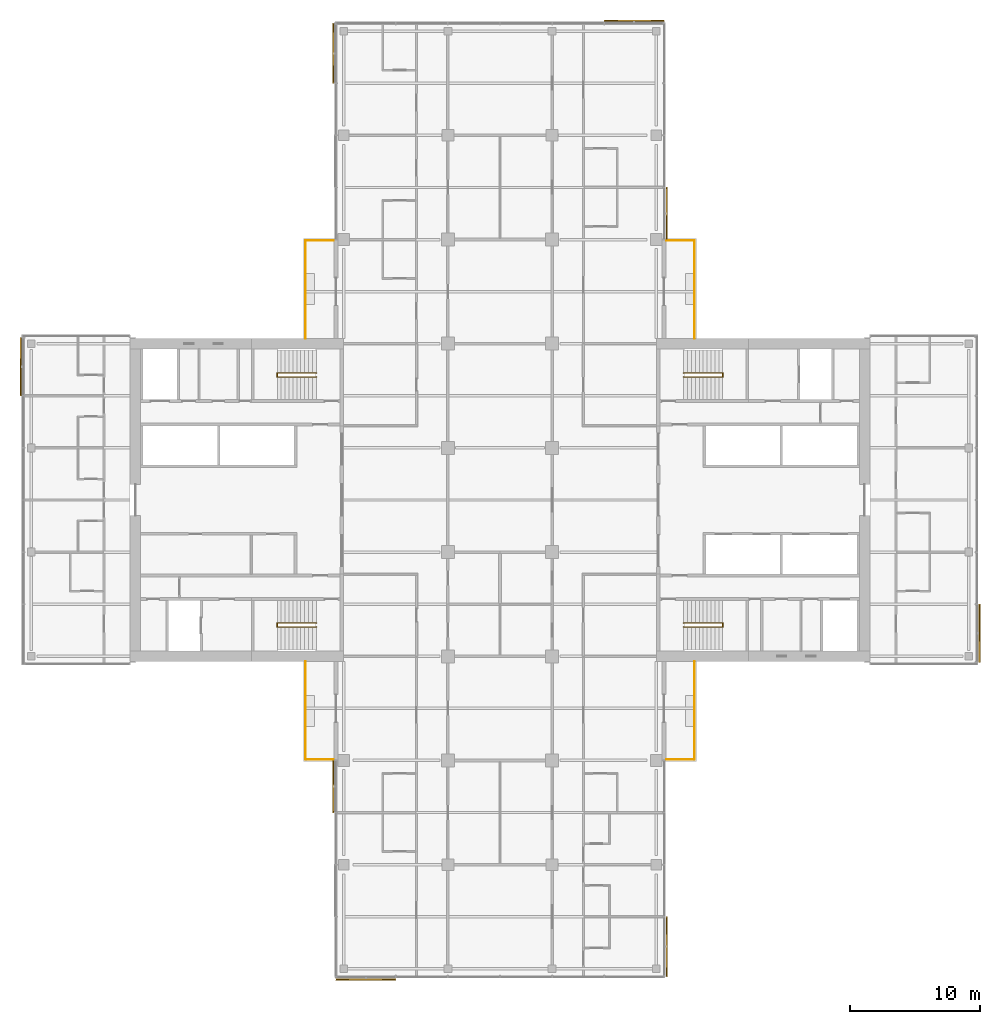
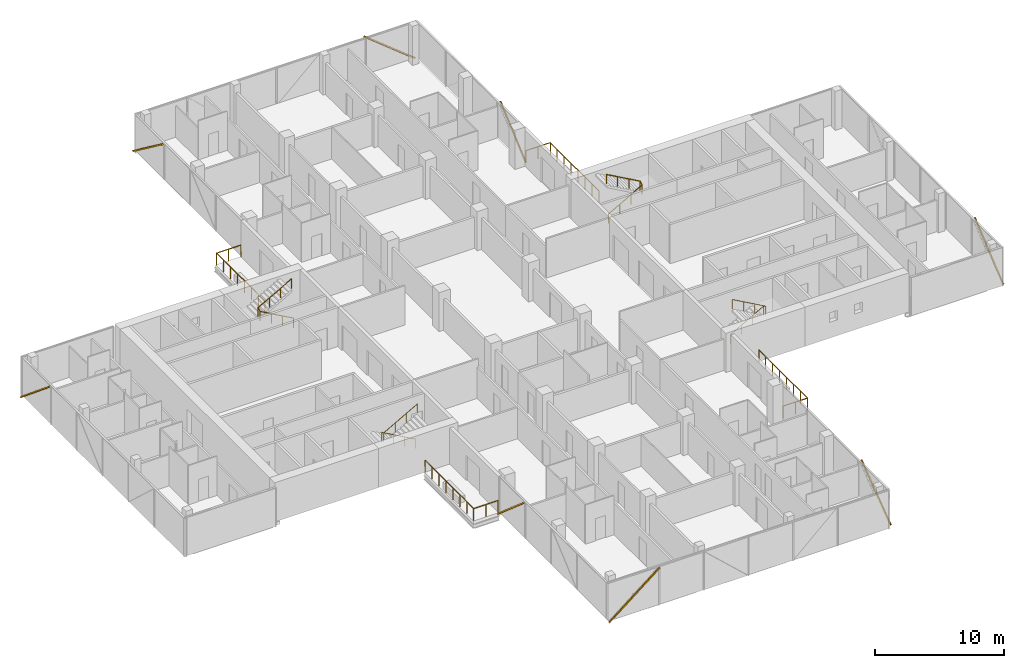
# One storey, part 25 of 25: 8 railings, 8 shading devices, 8 elements without a shape of their own.
"""IFC4 building model written with IfcOpenShell, lengths in metres."""

from ifc_helpers import new_model, si_unit, direction, frame, origin, origin_2d, place, context, subcontext, project, spatial, rectangle, circle, extrude, material, material_profile, profile_set, type_object, element, aggregate, save


model = new_model("IFC4")

# Units and contexts
model_context = context("Model", 3, precision=1e-05, world=origin(), true_north=direction((0.0, 1.0)))
body_context = subcontext(model_context, "Body", "Model", "MODEL_VIEW")
ifc_project = project(units=[si_unit("LENGTHUNIT", "METRE"), si_unit("AREAUNIT", "SQUARE_METRE"), si_unit("VOLUMEUNIT", "CUBIC_METRE"), si_unit("PLANEANGLEUNIT", "RADIAN"), si_unit("MASSUNIT", "GRAM", prefix="KILO")], contexts=[model_context])

# Site, building, storey
site_placement = place(None, origin())
site = spatial("IfcSite", under=ifc_project, at=site_placement, CompositionType="ELEMENT")
building_placement = place(site_placement, origin())
building = spatial("IfcBuilding", under=site, at=building_placement, Name="Crosswind Convention Tower", CompositionType="ELEMENT")
storey_placement = place(building_placement, frame((0.0, 0.0, 97.89990234375)))
storey = spatial("IfcBuildingStorey", under=building, at=storey_placement, Name="L19", CompositionType="ELEMENT", Elevation=97.89990234375)

# Railings
ifc_material_1 = material(Name="Steel and laminated glass balustrade", Category="steel")
railing_type_1 = type_object("IfcRailingType", Name="BALCONY BALUSTRADE 1150", PredefinedType="BALUSTRADE", material=ifc_material_1)
railing_1_placement = place(storey_placement, frame((139.93994140625, 112.39990234375, 0.0)))
element("IfcRailing", 1, at=railing_1_placement, inside=storey, type_object=railing_type_1, Name="R11 balcony balustrade L19 N-E.1-1", PredefinedType="BALUSTRADE", context=body_context, shape_type="SweptSolid", body=[
    extrude(circle(Radius=0.02392578125, at=origin_2d()), frame((0.0, 0.0, 1.1259765625), z_axis=(0.0, 1.0, 0.0), x_axis=(-1.0, 0.0, 0.0)), (0.0, 0.0, 1.0), 7.5400390625),
    extrude(circle(Radius=0.02392578125, at=origin_2d()), frame((0.0, 7.5400390625, 1.1259765625), z_axis=(-1.0, 0.0, 0.0), x_axis=(0.0, -1.0, 0.0)), (0.0, 0.0, 1.0), 2.1689453125),
    extrude(circle(Radius=0.02099609375, at=origin_2d()), origin(), (0.0, 0.0, 1.0), 1.101806640625),
    extrude(circle(Radius=0.02099609375, at=origin_2d()), frame((0.0, 1.0771484375, 0.0)), (0.0, 0.0, 1.0), 1.101806640625),
    extrude(circle(Radius=0.02099609375, at=origin_2d()), frame((0.0, 2.154296875, 0.0)), (0.0, 0.0, 1.0), 1.101806640625),
    extrude(circle(Radius=0.02099609375, at=origin_2d()), frame((0.0, 3.2314453125, 0.0)), (0.0, 0.0, 1.0), 1.101806640625),
    extrude(circle(Radius=0.02099609375, at=origin_2d()), frame((0.0, 4.30859375, 0.0)), (0.0, 0.0, 1.0), 1.101806640625),
    extrude(circle(Radius=0.02099609375, at=origin_2d()), frame((0.0, 5.3857421875, 0.0)), (0.0, 0.0, 1.0), 1.101806640625),
    extrude(circle(Radius=0.02099609375, at=origin_2d()), frame((0.0, 6.462890625, 0.0)), (0.0, 0.0, 1.0), 1.101806640625),
    extrude(circle(Radius=0.02099609375, at=origin_2d()), frame((0.0, 7.5400390625, 0.0)), (0.0, 0.0, 1.0), 1.101806640625),
    extrude(circle(Radius=0.02099609375, at=origin_2d()), frame((-1.08447265625, 7.5400390625, 0.0)), (0.0, 0.0, 1.0), 1.101806640625),
    extrude(circle(Radius=0.02099609375, at=origin_2d()), frame((-2.1689453125, 7.5400390625, 0.0)), (0.0, 0.0, 1.0), 1.101806640625),
])
railing_2_placement = place(storey_placement, frame((110.06005859375, 112.39990234375, 0.0)))
element("IfcRailing", 2, at=railing_2_placement, inside=storey, type_object=railing_type_1, Name="R11 balcony balustrade L19 N-W.1-3", PredefinedType="BALUSTRADE", context=body_context, shape_type="SweptSolid", body=[
    extrude(circle(Radius=0.02392578125, at=origin_2d()), frame((0.0, 0.0, 1.1259765625), z_axis=(0.0, 1.0, 0.0), x_axis=(-1.0, 0.0, 0.0)), (0.0, 0.0, 1.0), 7.5400390625),
    extrude(circle(Radius=0.02392578125, at=origin_2d()), frame((0.0, 7.5400390625, 1.1259765625), z_axis=(1.0, 0.0, 0.0), x_axis=(0.0, 1.0, 0.0)), (0.0, 0.0, 1.0), 2.1689453125),
    extrude(circle(Radius=0.02099609375, at=origin_2d()), origin(), (0.0, 0.0, 1.0), 1.101806640625),
    extrude(circle(Radius=0.02099609375, at=origin_2d()), frame((0.0, 1.0771484375, 0.0)), (0.0, 0.0, 1.0), 1.101806640625),
    extrude(circle(Radius=0.02099609375, at=origin_2d()), frame((0.0, 2.154296875, 0.0)), (0.0, 0.0, 1.0), 1.101806640625),
    extrude(circle(Radius=0.02099609375, at=origin_2d()), frame((0.0, 3.2314453125, 0.0)), (0.0, 0.0, 1.0), 1.101806640625),
    extrude(circle(Radius=0.02099609375, at=origin_2d()), frame((0.0, 4.30859375, 0.0)), (0.0, 0.0, 1.0), 1.101806640625),
    extrude(circle(Radius=0.02099609375, at=origin_2d()), frame((0.0, 5.3857421875, 0.0)), (0.0, 0.0, 1.0), 1.101806640625),
    extrude(circle(Radius=0.02099609375, at=origin_2d()), frame((0.0, 6.462890625, 0.0)), (0.0, 0.0, 1.0), 1.101806640625),
    extrude(circle(Radius=0.02099609375, at=origin_2d()), frame((0.0, 7.5400390625, 0.0)), (0.0, 0.0, 1.0), 1.101806640625),
    extrude(circle(Radius=0.02099609375, at=origin_2d()), frame((1.08447265625, 7.5400390625, 0.0)), (0.0, 0.0, 1.0), 1.101806640625),
    extrude(circle(Radius=0.02099609375, at=origin_2d()), frame((2.1689453125, 7.5400390625, 0.0)), (0.0, 0.0, 1.0), 1.101806640625),
])
railing_3_placement = place(storey_placement, frame((110.06005859375, 87.60009765625, 0.0)))
element("IfcRailing", 3, at=railing_3_placement, inside=storey, type_object=railing_type_1, Name="R11 balcony balustrade L19 S-W.1-1", PredefinedType="BALUSTRADE", context=body_context, shape_type="SweptSolid", body=[
    extrude(circle(Radius=0.02392578125, at=origin_2d()), frame((0.0, 0.0, 1.1259765625), z_axis=(0.0, -1.0, 0.0), x_axis=(1.0, 0.0, 0.0)), (0.0, 0.0, 1.0), 7.5400390625),
    extrude(circle(Radius=0.02392578125, at=origin_2d()), frame((0.0, -7.5400390625, 1.1259765625), z_axis=(1.0, 0.0, 0.0), x_axis=(0.0, 1.0, 0.0)), (0.0, 0.0, 1.0), 2.1689453125),
    extrude(circle(Radius=0.02099609375, at=origin_2d()), origin(), (0.0, 0.0, 1.0), 1.101806640625),
    extrude(circle(Radius=0.02099609375, at=origin_2d()), frame((0.0, -1.0771484375, 0.0)), (0.0, 0.0, 1.0), 1.101806640625),
    extrude(circle(Radius=0.02099609375, at=origin_2d()), frame((0.0, -2.154296875, 0.0)), (0.0, 0.0, 1.0), 1.101806640625),
    extrude(circle(Radius=0.02099609375, at=origin_2d()), frame((0.0, -3.2314453125, 0.0)), (0.0, 0.0, 1.0), 1.101806640625),
    extrude(circle(Radius=0.02099609375, at=origin_2d()), frame((0.0, -4.30859375, 0.0)), (0.0, 0.0, 1.0), 1.101806640625),
    extrude(circle(Radius=0.02099609375, at=origin_2d()), frame((0.0, -5.3857421875, 0.0)), (0.0, 0.0, 1.0), 1.101806640625),
    extrude(circle(Radius=0.02099609375, at=origin_2d()), frame((0.0, -6.462890625, 0.0)), (0.0, 0.0, 1.0), 1.101806640625),
    extrude(circle(Radius=0.02099609375, at=origin_2d()), frame((0.0, -7.5400390625, 0.0)), (0.0, 0.0, 1.0), 1.101806640625),
    extrude(circle(Radius=0.02099609375, at=origin_2d()), frame((1.08447265625, -7.5400390625, 0.0)), (0.0, 0.0, 1.0), 1.101806640625),
    extrude(circle(Radius=0.02099609375, at=origin_2d()), frame((2.1689453125, -7.5400390625, 0.0)), (0.0, 0.0, 1.0), 1.101806640625),
])
railing_4_placement = place(storey_placement, frame((139.93994140625, 87.60009765625, 0.0)))
element("IfcRailing", 4, at=railing_4_placement, inside=storey, type_object=railing_type_1, Name="R11 balcony balustrade L19 S-E.1-3", PredefinedType="BALUSTRADE", context=body_context, shape_type="SweptSolid", body=[
    extrude(circle(Radius=0.02392578125, at=origin_2d()), frame((0.0, 0.0, 1.1259765625), z_axis=(0.0, -1.0, 0.0), x_axis=(1.0, 0.0, 0.0)), (0.0, 0.0, 1.0), 7.5400390625),
    extrude(circle(Radius=0.02392578125, at=origin_2d()), frame((0.0, -7.5400390625, 1.1259765625), z_axis=(-1.0, 0.0, 0.0), x_axis=(0.0, -1.0, 0.0)), (0.0, 0.0, 1.0), 2.1689453125),
    extrude(circle(Radius=0.02099609375, at=origin_2d()), origin(), (0.0, 0.0, 1.0), 1.101806640625),
    extrude(circle(Radius=0.02099609375, at=origin_2d()), frame((0.0, -1.0771484375, 0.0)), (0.0, 0.0, 1.0), 1.101806640625),
    extrude(circle(Radius=0.02099609375, at=origin_2d()), frame((0.0, -2.154296875, 0.0)), (0.0, 0.0, 1.0), 1.101806640625),
    extrude(circle(Radius=0.02099609375, at=origin_2d()), frame((0.0, -3.2314453125, 0.0)), (0.0, 0.0, 1.0), 1.101806640625),
    extrude(circle(Radius=0.02099609375, at=origin_2d()), frame((0.0, -4.30859375, 0.0)), (0.0, 0.0, 1.0), 1.101806640625),
    extrude(circle(Radius=0.02099609375, at=origin_2d()), frame((0.0, -5.3857421875, 0.0)), (0.0, 0.0, 1.0), 1.101806640625),
    extrude(circle(Radius=0.02099609375, at=origin_2d()), frame((0.0, -6.462890625, 0.0)), (0.0, 0.0, 1.0), 1.101806640625),
    extrude(circle(Radius=0.02099609375, at=origin_2d()), frame((0.0, -7.5400390625, 0.0)), (0.0, 0.0, 1.0), 1.101806640625),
    extrude(circle(Radius=0.02099609375, at=origin_2d()), frame((-1.08447265625, -7.5400390625, 0.0)), (0.0, 0.0, 1.0), 1.101806640625),
    extrude(circle(Radius=0.02099609375, at=origin_2d()), frame((-2.1689453125, -7.5400390625, 0.0)), (0.0, 0.0, 1.0), 1.101806640625),
])
ifc_material_2 = material(Name="Stainless steel", Category="steel")
railing_type_2 = type_object("IfcRailingType", Name="Stair handrail 900", PredefinedType="HANDRAIL", material=ifc_material_2)
railing_5_placement = place(storey_placement, frame((139.10009765625, 109.43994140625, 0.168212890625)))
element("IfcRailing", 5, at=railing_5_placement, inside=storey, type_object=railing_type_2, Name="Stair ST1 handrail L19", PredefinedType="HANDRAIL", context=body_context, shape_type="SweptSolid", body=[
    extrude(circle(Radius=0.02392578125, at=origin_2d()), frame((0.0, 0.0, 0.8759765625), z_axis=(0.872272294576, 0.0, 0.489020494575), x_axis=(0.0, 1.0, 0.0)), (0.0, 0.0, 1.0), 3.439208984375),
    extrude(circle(Radius=0.02392578125, at=origin_2d()), frame((3.0, 0.0, 2.5576171875), z_axis=(0.0, 0.885196349292, 0.465217608438), x_axis=(-1.0, 0.0, 0.0)), (0.0, 0.0, 1.0), 0.361572265625),
    extrude(circle(Radius=0.02392578125, at=origin_2d()), frame((3.0, 0.320068359375, 2.72607421875), z_axis=(-0.872272294576, 0.0, 0.489020494575), x_axis=(0.0, -1.0, 0.0)), (0.0, 0.0, 1.0), 3.439208984375),
    extrude(circle(Radius=0.02099609375, at=origin_2d()), origin(), (0.0, 0.0, 1.0), 0.851806640625),
    extrude(circle(Radius=0.02099609375, at=origin_2d()), frame((1.0, 0.0, 0.560546875)), (0.0, 0.0, 1.0), 0.851806640625),
    extrude(circle(Radius=0.02099609375, at=origin_2d()), frame((2.0, 0.0, 1.121337890625)), (0.0, 0.0, 1.0), 0.851806640625),
    extrude(circle(Radius=0.02099609375, at=origin_2d()), frame((3.0, 0.0, 1.681884765625)), (0.0, 0.0, 1.0), 0.851806640625),
    extrude(circle(Radius=0.02099609375, at=origin_2d()), frame((3.0, 0.320068359375, 1.85009765625)), (0.0, 0.0, 1.0), 0.851806640625),
    extrude(circle(Radius=0.02099609375, at=origin_2d()), frame((2.0, 0.320068359375, 2.41064453125)), (0.0, 0.0, 1.0), 0.851806640625),
    extrude(circle(Radius=0.02099609375, at=origin_2d()), frame((1.0, 0.320068359375, 2.971435546875)), (0.0, 0.0, 1.0), 0.851806640625),
    extrude(circle(Radius=0.02099609375, at=origin_2d()), frame((0.0, 0.320068359375, 3.531982421875)), (0.0, 0.0, 1.0), 0.851806640625),
])
railing_6_placement = place(storey_placement, frame((139.10009765625, 90.56005859375, 0.168212890625)))
element("IfcRailing", 6, at=railing_6_placement, inside=storey, type_object=railing_type_2, Name="Stair ST2 handrail L19", PredefinedType="HANDRAIL", context=body_context, shape_type="SweptSolid", body=[
    extrude(circle(Radius=0.02392578125, at=origin_2d()), frame((0.0, 0.0, 0.8759765625), z_axis=(0.872272294576, 0.0, 0.489020494575), x_axis=(0.0, 1.0, 0.0)), (0.0, 0.0, 1.0), 3.439208984375),
    extrude(circle(Radius=0.02392578125, at=origin_2d()), frame((3.0, 0.0, 2.5576171875), z_axis=(0.0, -0.885196349292, 0.465217608438), x_axis=(1.0, 0.0, 0.0)), (0.0, 0.0, 1.0), 0.361572265625),
    extrude(circle(Radius=0.02392578125, at=origin_2d()), frame((3.0, -0.320068359375, 2.72607421875), z_axis=(-0.872272294576, 0.0, 0.489020494575), x_axis=(0.0, -1.0, 0.0)), (0.0, 0.0, 1.0), 3.439208984375),
    extrude(circle(Radius=0.02099609375, at=origin_2d()), origin(), (0.0, 0.0, 1.0), 0.851806640625),
    extrude(circle(Radius=0.02099609375, at=origin_2d()), frame((1.0, 0.0, 0.560546875)), (0.0, 0.0, 1.0), 0.851806640625),
    extrude(circle(Radius=0.02099609375, at=origin_2d()), frame((2.0, 0.0, 1.121337890625)), (0.0, 0.0, 1.0), 0.851806640625),
    extrude(circle(Radius=0.02099609375, at=origin_2d()), frame((3.0, 0.0, 1.681884765625)), (0.0, 0.0, 1.0), 0.851806640625),
    extrude(circle(Radius=0.02099609375, at=origin_2d()), frame((3.0, -0.320068359375, 1.85009765625)), (0.0, 0.0, 1.0), 0.851806640625),
    extrude(circle(Radius=0.02099609375, at=origin_2d()), frame((2.0, -0.320068359375, 2.41064453125)), (0.0, 0.0, 1.0), 0.851806640625),
    extrude(circle(Radius=0.02099609375, at=origin_2d()), frame((1.0, -0.320068359375, 2.971435546875)), (0.0, 0.0, 1.0), 0.851806640625),
    extrude(circle(Radius=0.02099609375, at=origin_2d()), frame((0.0, -0.320068359375, 3.531982421875)), (0.0, 0.0, 1.0), 0.851806640625),
])
railing_7_placement = place(storey_placement, frame((110.89990234375, 90.56005859375, 0.168212890625)))
element("IfcRailing", 7, at=railing_7_placement, inside=storey, type_object=railing_type_2, Name="Stair ST3 handrail L19", PredefinedType="HANDRAIL", context=body_context, shape_type="SweptSolid", body=[
    extrude(circle(Radius=0.02392578125, at=origin_2d()), frame((0.0, 0.0, 0.8759765625), z_axis=(-0.872272294576, 0.0, 0.489020494575), x_axis=(0.0, -1.0, 0.0)), (0.0, 0.0, 1.0), 3.439208984375),
    extrude(circle(Radius=0.02392578125, at=origin_2d()), frame((-3.0, 0.0, 2.5576171875), z_axis=(0.0, -0.885196349292, 0.465217608438), x_axis=(1.0, 0.0, 0.0)), (0.0, 0.0, 1.0), 0.361572265625),
    extrude(circle(Radius=0.02392578125, at=origin_2d()), frame((-3.0, -0.320068359375, 2.72607421875), z_axis=(0.872272294576, 0.0, 0.489020494575), x_axis=(0.0, 1.0, 0.0)), (0.0, 0.0, 1.0), 3.439208984375),
    extrude(circle(Radius=0.02099609375, at=origin_2d()), origin(), (0.0, 0.0, 1.0), 0.851806640625),
    extrude(circle(Radius=0.02099609375, at=origin_2d()), frame((-1.0, 0.0, 0.560546875)), (0.0, 0.0, 1.0), 0.851806640625),
    extrude(circle(Radius=0.02099609375, at=origin_2d()), frame((-2.0, 0.0, 1.121337890625)), (0.0, 0.0, 1.0), 0.851806640625),
    extrude(circle(Radius=0.02099609375, at=origin_2d()), frame((-3.0, 0.0, 1.681884765625)), (0.0, 0.0, 1.0), 0.851806640625),
    extrude(circle(Radius=0.02099609375, at=origin_2d()), frame((-3.0, -0.320068359375, 1.85009765625)), (0.0, 0.0, 1.0), 0.851806640625),
    extrude(circle(Radius=0.02099609375, at=origin_2d()), frame((-2.0, -0.320068359375, 2.41064453125)), (0.0, 0.0, 1.0), 0.851806640625),
    extrude(circle(Radius=0.02099609375, at=origin_2d()), frame((-1.0, -0.320068359375, 2.971435546875)), (0.0, 0.0, 1.0), 0.851806640625),
    extrude(circle(Radius=0.02099609375, at=origin_2d()), frame((0.0, -0.320068359375, 3.531982421875)), (0.0, 0.0, 1.0), 0.851806640625),
])
railing_8_placement = place(storey_placement, frame((110.89990234375, 109.43994140625, 0.168212890625)))
element("IfcRailing", 8, at=railing_8_placement, inside=storey, type_object=railing_type_2, Name="Stair ST4 handrail L19", PredefinedType="HANDRAIL", context=body_context, shape_type="SweptSolid", body=[
    extrude(circle(Radius=0.02392578125, at=origin_2d()), frame((0.0, 0.0, 0.8759765625), z_axis=(-0.872272294576, 0.0, 0.489020494575), x_axis=(0.0, -1.0, 0.0)), (0.0, 0.0, 1.0), 3.439208984375),
    extrude(circle(Radius=0.02392578125, at=origin_2d()), frame((-3.0, 0.0, 2.5576171875), z_axis=(0.0, 0.885196349292, 0.465217608438), x_axis=(-1.0, 0.0, 0.0)), (0.0, 0.0, 1.0), 0.361572265625),
    extrude(circle(Radius=0.02392578125, at=origin_2d()), frame((-3.0, 0.320068359375, 2.72607421875), z_axis=(0.872272294576, 0.0, 0.489020494575), x_axis=(0.0, 1.0, 0.0)), (0.0, 0.0, 1.0), 3.439208984375),
    extrude(circle(Radius=0.02099609375, at=origin_2d()), origin(), (0.0, 0.0, 1.0), 0.851806640625),
    extrude(circle(Radius=0.02099609375, at=origin_2d()), frame((-1.0, 0.0, 0.560546875)), (0.0, 0.0, 1.0), 0.851806640625),
    extrude(circle(Radius=0.02099609375, at=origin_2d()), frame((-2.0, 0.0, 1.121337890625)), (0.0, 0.0, 1.0), 0.851806640625),
    extrude(circle(Radius=0.02099609375, at=origin_2d()), frame((-3.0, 0.0, 1.681884765625)), (0.0, 0.0, 1.0), 0.851806640625),
    extrude(circle(Radius=0.02099609375, at=origin_2d()), frame((-3.0, 0.320068359375, 1.85009765625)), (0.0, 0.0, 1.0), 0.851806640625),
    extrude(circle(Radius=0.02099609375, at=origin_2d()), frame((-2.0, 0.320068359375, 2.41064453125)), (0.0, 0.0, 1.0), 0.851806640625),
    extrude(circle(Radius=0.02099609375, at=origin_2d()), frame((-1.0, 0.320068359375, 2.971435546875)), (0.0, 0.0, 1.0), 0.851806640625),
    extrude(circle(Radius=0.02099609375, at=origin_2d()), frame((0.0, 0.320068359375, 3.531982421875)), (0.0, 0.0, 1.0), 0.851806640625),
])

# Curtain wall, shading device
ifc_material_3 = material(Name="Aluminium unitised curtain wall", Category="aluminium")
curtain_wall_type = type_object("IfcCurtainWallType", Name="HOTEL UNITISED WALL 200", PredefinedType="USERDEFINED", material=ifc_material_3)
curtain_wall_1_placement = place(storey_placement, origin())
curtain_wall_1 = element("IfcCurtainWall", 9, at=curtain_wall_1_placement, inside=storey, type_object=curtain_wall_type, Name="CW2 L19 E-TIP 1", ObjectType="UNITISED", PredefinedType="USERDEFINED")
ifc_material_4 = material(Name="Extruded terracotta", Category="masonry")
ifc_material_profile = material_profile(ifc_material_4, rectangle(XDim=0.10009765625, YDim=0.1201171875, at=origin_2d()), Name="TC 100X120")
ifc_profile_set = profile_set([ifc_material_profile], Name="Extruded terracotta")
shading_device_type = type_object("IfcShadingDeviceType", Name="TERRACOTTA BAGUETTE 120X100", PredefinedType="USERDEFINED", material=ifc_profile_set)
shading_device_1_placement = place(storey_placement, frame((161.80810546875, 87.56494140625, -0.27978515625), z_axis=(0.0, 0.771147041785, 0.63665708191), x_axis=(-1.0, 0.0, 0.0)))
shading_device_1 = element("IfcShadingDevice", 10, at=shading_device_1_placement, type_object=shading_device_type, Name="CW2 terracotta baguette 1", ObjectType="BAGUETTE", PredefinedType="USERDEFINED", context=body_context, shape_type="SweptSolid", body=[
    extrude(rectangle(XDim=0.10009765625, YDim=0.1201171875, at=origin_2d()), origin(), (0.0, 0.0, 1.0), 5.709228515625),
])
aggregate(curtain_wall_1, [shading_device_1])

curtain_wall_2_placement = place(storey_placement, origin())
curtain_wall_2 = element("IfcCurtainWall", 11, at=curtain_wall_2_placement, inside=storey, type_object=curtain_wall_type, Name="CW2 L19 N-E 1", ObjectType="UNITISED", PredefinedType="USERDEFINED")
shading_device_2_placement = place(storey_placement, frame((137.80810546875, 120.032470703125, -0.044921875), z_axis=(0.0, 0.756685762482, 0.653778752222), x_axis=(-1.0, 0.0, 0.0)))
shading_device_2 = element("IfcShadingDevice", 12, at=shading_device_2_placement, type_object=shading_device_type, Name="CW2 terracotta baguette 1", ObjectType="BAGUETTE", PredefinedType="USERDEFINED", context=body_context, shape_type="SweptSolid", body=[
    extrude(rectangle(XDim=0.10009765625, YDim=0.1201171875, at=origin_2d()), origin(), (0.0, 0.0, 1.0), 5.200439453125),
])
aggregate(curtain_wall_2, [shading_device_2])

curtain_wall_3_placement = place(storey_placement, origin())
curtain_wall_3 = element("IfcCurtainWall", 13, at=curtain_wall_3_placement, inside=storey, type_object=curtain_wall_type, Name="CW2 L19 N-TIP 1", ObjectType="UNITISED", PredefinedType="USERDEFINED")
shading_device_3_placement = place(storey_placement, frame((137.5673828125, 136.80810546875, -0.27978515625), z_axis=(-0.780294715128, 0.0, 0.625411990246), x_axis=(0.0, -1.0, 0.0)))
shading_device_3 = element("IfcShadingDevice", 14, at=shading_device_3_placement, type_object=shading_device_type, Name="CW2 terracotta baguette 1", ObjectType="BAGUETTE", PredefinedType="USERDEFINED", context=body_context, shape_type="SweptSolid", body=[
    extrude(rectangle(XDim=0.10009765625, YDim=0.1201171875, at=origin_2d()), origin(), (0.0, 0.0, 1.0), 5.811767578125),
])
aggregate(curtain_wall_3, [shading_device_3])

curtain_wall_4_placement = place(storey_placement, origin())
curtain_wall_4 = element("IfcCurtainWall", 15, at=curtain_wall_4_placement, inside=storey, type_object=curtain_wall_type, Name="CW2 L19 N-W 1", ObjectType="UNITISED", PredefinedType="USERDEFINED")
shading_device_4_placement = place(storey_placement, frame((112.19189453125, 136.5673828125, -0.044921875), z_axis=(0.0, -0.800108534607, 0.599855259916), x_axis=(1.0, 0.0, 0.0)))
shading_device_4 = element("IfcShadingDevice", 16, at=shading_device_4_placement, type_object=shading_device_type, Name="CW2 terracotta baguette 1", ObjectType="BAGUETTE", PredefinedType="USERDEFINED", context=body_context, shape_type="SweptSolid", body=[
    extrude(rectangle(XDim=0.10009765625, YDim=0.1201171875, at=origin_2d()), origin(), (0.0, 0.0, 1.0), 5.66796875),
])
aggregate(curtain_wall_4, [shading_device_4])

curtain_wall_5_placement = place(storey_placement, origin())
curtain_wall_5 = element("IfcCurtainWall", 17, at=curtain_wall_5_placement, inside=storey, type_object=curtain_wall_type, Name="CW2 L19 W-TIP 1", ObjectType="UNITISED", PredefinedType="USERDEFINED")
shading_device_5_placement = place(storey_placement, frame((88.19189453125, 112.43505859375, -0.27978515625), z_axis=(0.0, -0.771147041785, 0.63665708191), x_axis=(1.0, 0.0, 0.0)))
shading_device_5 = element("IfcShadingDevice", 18, at=shading_device_5_placement, type_object=shading_device_type, Name="CW2 terracotta baguette 1", ObjectType="BAGUETTE", PredefinedType="USERDEFINED", context=body_context, shape_type="SweptSolid", body=[
    extrude(rectangle(XDim=0.10009765625, YDim=0.1201171875, at=origin_2d()), origin(), (0.0, 0.0, 1.0), 5.709228515625),
])
aggregate(curtain_wall_5, [shading_device_5])

curtain_wall_6_placement = place(storey_placement, origin())
curtain_wall_6 = element("IfcCurtainWall", 19, at=curtain_wall_6_placement, inside=storey, type_object=curtain_wall_type, Name="CW2 L19 S-W 1", ObjectType="UNITISED", PredefinedType="USERDEFINED")
shading_device_6_placement = place(storey_placement, frame((112.19189453125, 79.967529296875, -0.044921875), z_axis=(0.0, -0.756685762482, 0.653778752222), x_axis=(1.0, 0.0, 0.0)))
shading_device_6 = element("IfcShadingDevice", 20, at=shading_device_6_placement, type_object=shading_device_type, Name="CW2 terracotta baguette 1", ObjectType="BAGUETTE", PredefinedType="USERDEFINED", context=body_context, shape_type="SweptSolid", body=[
    extrude(rectangle(XDim=0.10009765625, YDim=0.1201171875, at=origin_2d()), origin(), (0.0, 0.0, 1.0), 5.200439453125),
])
aggregate(curtain_wall_6, [shading_device_6])

curtain_wall_7_placement = place(storey_placement, origin())
curtain_wall_7 = element("IfcCurtainWall", 21, at=curtain_wall_7_placement, inside=storey, type_object=curtain_wall_type, Name="CW2 L19 S-TIP 1", ObjectType="UNITISED", PredefinedType="USERDEFINED")
shading_device_7_placement = place(storey_placement, frame((112.4326171875, 63.19189453125, -0.27978515625), z_axis=(0.780294715128, 0.0, 0.625411990246), x_axis=(0.0, 1.0, 0.0)))
shading_device_7 = element("IfcShadingDevice", 22, at=shading_device_7_placement, type_object=shading_device_type, Name="CW2 terracotta baguette 1", ObjectType="BAGUETTE", PredefinedType="USERDEFINED", context=body_context, shape_type="SweptSolid", body=[
    extrude(rectangle(XDim=0.10009765625, YDim=0.1201171875, at=origin_2d()), origin(), (0.0, 0.0, 1.0), 5.811767578125),
])
aggregate(curtain_wall_7, [shading_device_7])

curtain_wall_8_placement = place(storey_placement, origin())
curtain_wall_8 = element("IfcCurtainWall", 23, at=curtain_wall_8_placement, inside=storey, type_object=curtain_wall_type, Name="CW2 L19 S-E 1", ObjectType="UNITISED", PredefinedType="USERDEFINED")
shading_device_8_placement = place(storey_placement, frame((137.80810546875, 63.4326171875, -0.044921875), z_axis=(0.0, 0.800108534607, 0.599855259916), x_axis=(-1.0, 0.0, 0.0)))
shading_device_8 = element("IfcShadingDevice", 24, at=shading_device_8_placement, type_object=shading_device_type, Name="CW2 terracotta baguette 1", ObjectType="BAGUETTE", PredefinedType="USERDEFINED", context=body_context, shape_type="SweptSolid", body=[
    extrude(rectangle(XDim=0.10009765625, YDim=0.1201171875, at=origin_2d()), origin(), (0.0, 0.0, 1.0), 5.66796875),
])
aggregate(curtain_wall_8, [shading_device_8])

save(model, "model.ifc")
